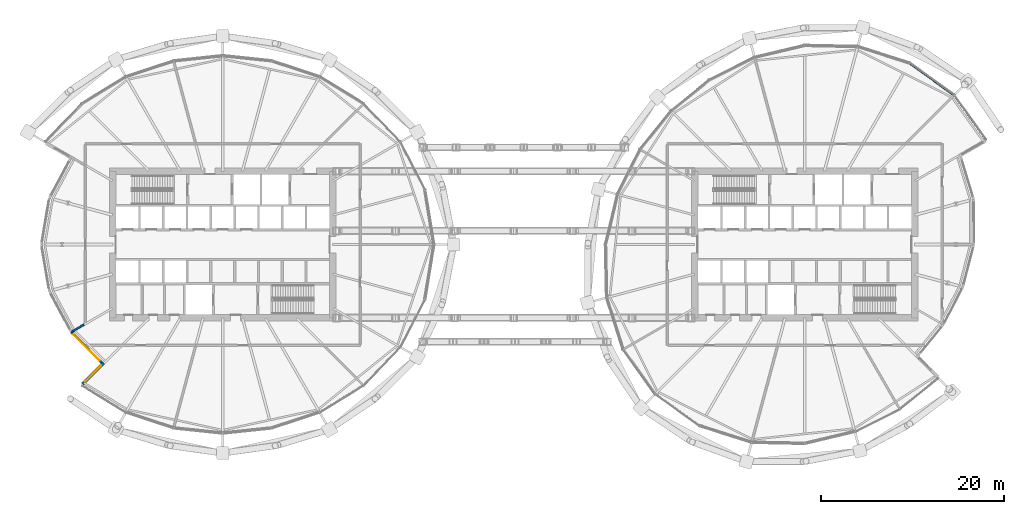
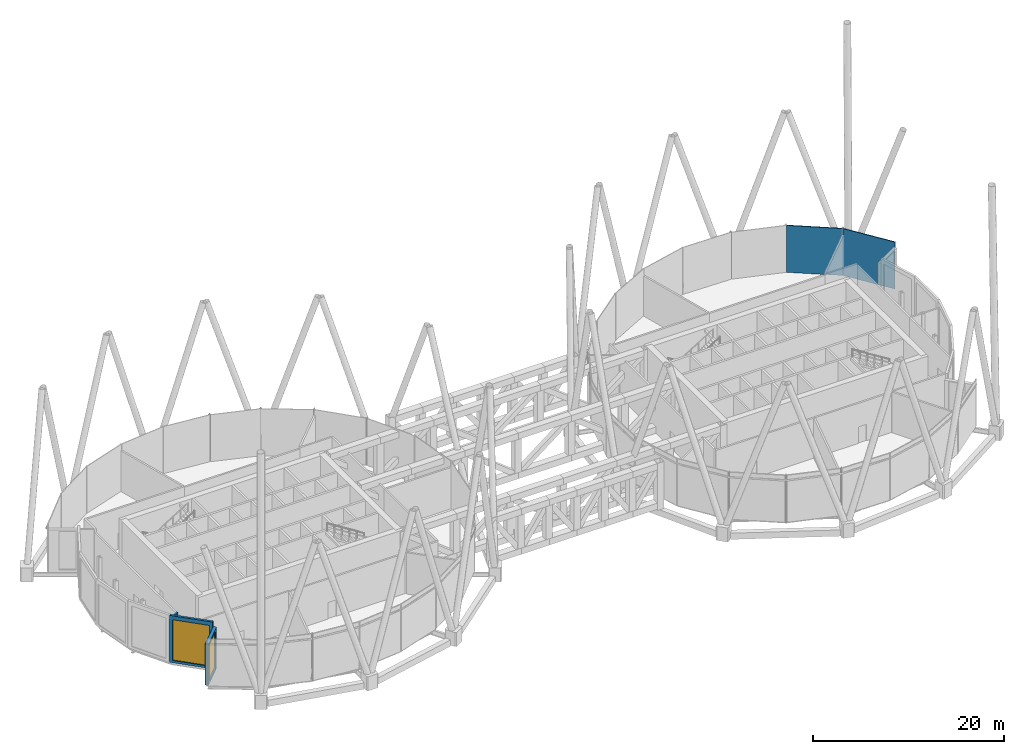
# One storey, part 31 of 39: 3 walls, 2 plates, 2 windows, 2 openings, 1 element without a shape of its own.
"""IFC4 building model written with IfcOpenShell, lengths in metres."""

import ifcopenshell
import ifcopenshell.guid

model = None  # the IFC model being written
_history = None  # IfcOwnerHistory: only IFC2X3 demands one
_inside = {}  # id of a spatial element -> (the spatial element, [elements in it])
_under = {}  # id of a project, library or spatial element -> (it, [spatial elements below it])
_declared = {}  # id of a project -> (the project, [libraries it declares])
_typed = {}  # id of a type object -> (the type object, [elements of that type])
_made_of = {}  # id of a material, layer set ... -> (it, [elements and type objects made of it])


def new_model(schema):
    """Start an empty IFC model of exactly this schema.

    Asked for "IFC4X3", IfcOpenShell would pick the latest addendum, in which some entities
    have other attributes; the version numbers below select the first issue.
    IFC2X3 requires an IfcOwnerHistory on every rooted entity: one is made here for all.
    """
    global model, _history
    if schema == "IFC4X3":
        model = ifcopenshell.file(schema_version=(4, 3, 0, 0))
    else:
        model = ifcopenshell.file(schema=schema)
    _inside.clear()
    _under.clear()
    _declared.clear()
    _typed.clear()
    _made_of.clear()
    _history = None
    if model.schema == "IFC2X3":
        org = make("IfcOrganization", Name="unknown")
        user = make(
            "IfcPersonAndOrganization",
            ThePerson=make("IfcPerson", FamilyName="unknown"),
            TheOrganization=org,
        )
        app = make(
            "IfcApplication",
            ApplicationDeveloper=org,
            Version="unknown",
            ApplicationFullName="unknown",
            ApplicationIdentifier="unknown",
        )
        _history = make(
            "IfcOwnerHistory",
            OwningUser=user,
            OwningApplication=app,
            ChangeAction="ADDED",
            CreationDate=0,
        )
    return model


def make(cls, **values):
    """One entity of the class cls with the attributes given. An attribute that is None is left unset."""
    return model.create_entity(
        cls, **{name: value for name, value in values.items() if value is not None}
    )


def rooted(cls, **values):
    """An entity with a GlobalId (a new one), such as an element, a storey or a relation."""
    return make(cls, GlobalId=ifcopenshell.guid.new(), OwnerHistory=_history, **values)


def si_unit(unit_type, name, prefix=None):
    """IfcSIUnit, for example si_unit("LENGTHUNIT", "METRE", prefix="MILLI")."""
    return make("IfcSIUnit", UnitType=unit_type, Prefix=prefix, Name=name)


def assignment(units):
    """IfcUnitAssignment: the units of a project."""
    return None if units is None else make("IfcUnitAssignment", Units=units)


def point(xyz):
    """IfcCartesianPoint."""
    return None if xyz is None else make("IfcCartesianPoint", Coordinates=xyz)


def direction(xyz):
    """IfcDirection."""
    return None if xyz is None else make("IfcDirection", DirectionRatios=xyz)


def frame(location, z_axis=None, x_axis=None):
    """IfcAxis2Placement3D, a coordinate frame: its origin and axes. An axis left out is left unset."""
    return make(
        "IfcAxis2Placement3D",
        Location=point(location),
        Axis=direction(z_axis),
        RefDirection=direction(x_axis),
    )


def frame_2d(location, x_axis=None):
    """IfcAxis2Placement2D, a coordinate frame in the plane: its origin and x axis."""
    return make(
        "IfcAxis2Placement2D", Location=point(location), RefDirection=direction(x_axis)
    )


def origin():
    """The frame at (0, 0, 0) with its axes left unset."""
    return frame((0.0, 0.0, 0.0))


def origin_2d():
    """The frame at (0, 0) in the plane with its x axis left unset."""
    return frame_2d((0.0, 0.0))


def place(relative_to, where):
    """IfcLocalPlacement: puts the frame where relative to a parent placement (None: the world)."""
    return make(
        "IfcLocalPlacement", PlacementRelTo=relative_to, RelativePlacement=where
    )


def context(
    kind, dimensions, precision=None, world=None, true_north=None, identifier=None
):
    """IfcGeometricRepresentationContext, for example the 3D "Model" context."""
    return make(
        "IfcGeometricRepresentationContext",
        ContextIdentifier=identifier,
        ContextType=kind,
        CoordinateSpaceDimension=dimensions,
        Precision=precision,
        WorldCoordinateSystem=world,
        TrueNorth=true_north,
    )


def subcontext(parent, identifier, kind, view, scale=None):
    """IfcGeometricRepresentationSubContext, for example "Body" below "Model"."""
    return make(
        "IfcGeometricRepresentationSubContext",
        ContextIdentifier=identifier,
        ContextType=kind,
        ParentContext=parent,
        TargetScale=scale,
        TargetView=view,
    )


def project(units=None, contexts=None):
    """IfcProject with its units and contexts."""
    return rooted(
        "IfcProject",
        Name="project",
        RepresentationContexts=contexts,
        UnitsInContext=assignment(units),
    )


def spatial(cls, under=None, at=None, **own):
    """A site, building, storey or space (cls), placed at a placement, below another one or the project."""
    s = rooted(cls, ObjectPlacement=at, **own)
    if under is not None:
        _under.setdefault(under.id(), (under, []))[1].append(s)
    return s


def profile(cls, at=None, kind="AREA", **sizes):
    """A parametric profile (cls). Its sizes go by their IFC names, for example OverallWidth=200.0."""
    return make(cls, ProfileType=kind, Position=at, **sizes)


def rectangle(**sizes):
    """IfcRectangleProfileDef."""
    return profile("IfcRectangleProfileDef", **sizes)


def extrude(swept, where, along, depth):
    """IfcExtrudedAreaSolid: the profile swept, set in the frame where, extruded along a direction by depth."""
    return make(
        "IfcExtrudedAreaSolid",
        SweptArea=swept,
        Position=where,
        ExtrudedDirection=direction(along),
        Depth=depth,
    )


def shape(context_of_items, identifier, shape_type, items):
    """IfcShapeRepresentation: the items that make up one representation, for example the "Body"."""
    return make(
        "IfcShapeRepresentation",
        ContextOfItems=context_of_items,
        RepresentationIdentifier=identifier,
        RepresentationType=shape_type,
        Items=items,
    )


def material(Name=None, Category=None):
    """IfcMaterial."""
    return make("IfcMaterial", Name=Name, Category=Category)


def layer(
    of_material, thickness, ventilated=None, Name=None, Category=None, Priority=None
):
    """IfcMaterialLayer: one layer of a wall or slab, of a material (None: an air gap)."""
    return make(
        "IfcMaterialLayer",
        Material=of_material,
        LayerThickness=thickness,
        IsVentilated=ventilated,
        Name=Name,
        Category=Category,
        Priority=Priority,
    )


def layer_set(layers, Name=None):
    """IfcMaterialLayerSet."""
    return make("IfcMaterialLayerSet", MaterialLayers=layers, LayerSetName=Name)


def made_of(thing, what):
    """Note that an element or type object is made of a material, layer set ...; save() writes the relation."""
    if what is not None:
        _made_of.setdefault(what.id(), (what, []))[1].append(thing)
    return thing


def type_object(cls, material=None, **own):
    """A type object (cls), such as IfcWallType, which elements share."""
    return made_of(rooted(cls, **own), material)


def element(
    cls,
    number,
    at=None,
    inside=None,
    cuts=None,
    type_object=None,
    material=None,
    context=None,
    identifier="Body",
    shape_type=None,
    held_by="IfcProductDefinitionShape",
    body=None,
    shapes=None,
    **own,
):
    """One element of the class cls, such as IfcWall. Its Tag is "e" and its number.

    at: its placement. inside: the storey or other place that contains it. cuts: it is an
    opening in that element (IfcRelVoidsElement). A single representation is given by context,
    identifier, shape_type and body (its items); several are given by shapes. held_by: the class
    of the entity that holds the representations. save() writes the other relations.
    """
    e = rooted(cls, Tag="e%d" % number, ObjectPlacement=at, **own)
    if body is not None:
        shapes = [shape(context, identifier, shape_type, body)]
    if shapes is not None:
        e.Representation = make(held_by, Representations=shapes)
    if inside is not None:
        _inside.setdefault(inside.id(), (inside, []))[1].append(e)
    if cuts is not None:
        rooted(
            "IfcRelVoidsElement", RelatingBuildingElement=cuts, RelatedOpeningElement=e
        )
    if type_object is not None:
        _typed.setdefault(type_object.id(), (type_object, []))[1].append(e)
    return made_of(e, material)


def fill(opening, filler):
    """IfcRelFillsElement: the door or window that sits in an opening."""
    return rooted(
        "IfcRelFillsElement",
        RelatingOpeningElement=opening,
        RelatedBuildingElement=filler,
    )


def aggregate(whole, parts):
    """IfcRelAggregates: a whole, such as a stair, and the parts it consists of."""
    return rooted("IfcRelAggregates", RelatingObject=whole, RelatedObjects=parts)


def save(model, path):
    """Write the relations noted so far, then the file.

    IfcRelAggregates (storeys below a building ...), IfcRelContainedInSpatialStructure (elements
    in a storey), IfcRelDefinesByType, IfcRelAssociatesMaterial and IfcRelDeclares: one each for
    every whole, place, type object, material and project.
    """
    for whole, parts in _under.values():
        aggregate(whole, parts)
    for where, things in _inside.values():
        rooted(
            "IfcRelContainedInSpatialStructure",
            RelatedElements=things,
            RelatingStructure=where,
        )
    for kind, things in _typed.values():
        rooted("IfcRelDefinesByType", RelatedObjects=things, RelatingType=kind)
    for what, things in _made_of.values():
        rooted("IfcRelAssociatesMaterial", RelatedObjects=things, RelatingMaterial=what)
    for by, libraries in _declared.values():
        rooted("IfcRelDeclares", RelatingContext=by, RelatedDefinitions=libraries)
    model.write(path)


model = new_model("IFC4")

# Units and contexts
model_context = context("Model", 3, precision=1e-05, world=origin(), true_north=direction((0.0, 1.0)))
body_context = subcontext(model_context, "Body", "Model", "MODEL_VIEW")
ifc_project = project(units=[si_unit("LENGTHUNIT", "METRE"), si_unit("AREAUNIT", "SQUARE_METRE"), si_unit("VOLUMEUNIT", "CUBIC_METRE"), si_unit("PLANEANGLEUNIT", "RADIAN"), si_unit("MASSUNIT", "GRAM", prefix="KILO")], contexts=[model_context])

# Site, building, storey
site_placement = place(None, origin())
site = spatial("IfcSite", under=ifc_project, at=site_placement, CompositionType="ELEMENT")
building_placement = place(site_placement, origin())
building = spatial("IfcBuilding", under=site, at=building_placement, Name="Rimbun Link Towers", CompositionType="ELEMENT")
storey_placement = place(building_placement, frame((0.0, 0.0, 127.199951171875)))
storey = spatial("IfcBuildingStorey", under=building, at=storey_placement, Name="L31", CompositionType="ELEMENT", Elevation=127.199951171875)

# Curtain wall, plates
ifc_material_1 = material(Name="Aluminium 6063-T6 louvre wall", Category="aluminium")
curtain_wall_type = type_object("IfcCurtainWallType", Name="CW6 plant floor louvre wall", PredefinedType="NOTDEFINED", material=ifc_material_1)
curtain_wall_placement = place(storey_placement, origin())
curtain_wall = element("IfcCurtainWall", 1, at=curtain_wall_placement, inside=storey, type_object=curtain_wall_type, Name="CW6 L31 T2", PredefinedType="NOTDEFINED")
ifc_material_2 = material(Name="Aluminium louvre panel", Category="aluminium")
ifc_layer_1 = layer(ifc_material_2, 0.10009765625)
ifc_layer_set_1 = layer_set([ifc_layer_1], Name="CW6 panel Aluminium louvre panel 100")
plate_type = type_object("IfcPlateType", Name="CW6 panel Aluminium louvre panel 100", PredefinedType="CURTAIN_PANEL", material=ifc_layer_set_1)
plate_1_placement = place(storey_placement, frame((45.591552734375, 18.0205078125, 0.0), z_axis=(0.0, 0.0, 1.0), x_axis=(0.812471359579, -0.583001106229, 0.0)))
plate_1 = element("IfcPlate", 2, at=plate_1_placement, type_object=plate_type, Name="CW6 louvre panel", PredefinedType="CURTAIN_PANEL", context=body_context, shape_type="SweptSolid", body=[
    extrude(rectangle(XDim=5.932861328125, YDim=0.10009765625, at=origin_2d()), origin(), (0.0, 0.0, 1.0), 6.0),
])
plate_2_placement = place(storey_placement, frame((49.7705078125, 13.841552734375, 0.0), z_axis=(0.0, 0.0, 1.0), x_axis=(0.583001106229, -0.812471359579, 0.0)))
plate_2 = element("IfcPlate", 3, at=plate_2_placement, type_object=plate_type, Name="CW6 louvre panel", PredefinedType="CURTAIN_PANEL", context=body_context, shape_type="SweptSolid", body=[
    extrude(rectangle(XDim=5.932861328125, YDim=0.10009765625, at=origin_2d()), origin(), (0.0, 0.0, 1.0), 6.0),
])
aggregate(curtain_wall, [plate_1, plate_2])

# Wall, opening, window
ifc_material_3 = material(Name="Dark enamelled glass spandrel on insulated aluminium backpan", Category="aluminium")
ifc_layer_2 = layer(ifc_material_3, 0.25)
ifc_layer_set_2 = layer_set([ifc_layer_2], Name="CS dark enamelled spandrel wall 250")
wall_type_1 = type_object("IfcWallType", Name="CS dark enamelled spandrel wall 250", PredefinedType="STANDARD", material=ifc_layer_set_2)
wall_1_placement = place(storey_placement, frame((-44.9765625, -12.873046875, 0.0), z_axis=(0.0, 0.0, 1.0), x_axis=(-0.705826953048, 0.708384297081, 0.0)))
wall_1 = element("IfcWall", 4, at=wall_1_placement, inside=storey, type_object=wall_type_1, Name="Crease spandrel wall", PredefinedType="STANDARD", context=body_context, shape_type="SweptSolid", body=[
    extrude(rectangle(XDim=4.677978515625, YDim=0.25, at=frame_2d((2.3388671875, 0.0))), origin(), (0.0, 0.0, 1.0), 6.0),
])
opening_1_placement = place(wall_1_placement, frame((0.3388671875, 0.0, 0.300048828125)))
opening_1 = element("IfcOpeningElement", 5, at=opening_1_placement, cuts=wall_1, Name="Opening WR40H520", PredefinedType="OPENING", context=body_context, shape_type="SweptSolid", body=[
    extrude(rectangle(XDim=4.0, YDim=5.199951171875, at=frame_2d((2.0, 2.60009765625))), frame((0.0, 0.135009765625, 0.0), z_axis=(0.0, -1.0, 0.0), x_axis=(1.0, 0.0, 0.0)), (0.0, 0.0, 1.0), 0.27001953125),
])
ifc_material_4 = material(Name="Aluminium framed fixed window, dark tinted low-e glass", Category="aluminium")
window_type_1 = type_object("IfcWindowType", Name="WR ribbon window 4000X5200", PartitioningType="SINGLE_PANEL", PredefinedType="WINDOW", material=ifc_material_4)
window_1_placement = place(opening_1_placement, origin())
window_1 = element("IfcWindow", 6, at=window_1_placement, inside=storey, type_object=window_type_1, Name="Crease ribbon window", OverallHeight=5.199951171875, OverallWidth=4.0, PartitioningType="SINGLE_PANEL", PredefinedType="WINDOW", context=body_context, shape_type="SweptSolid", body=[
    extrude(rectangle(XDim=4.0, YDim=5.199951171875, at=frame_2d((2.0, 2.60009765625))), frame((0.0, 0.030029296875, 0.0), z_axis=(0.0, -1.0, 0.0), x_axis=(1.0, 0.0, 0.0)), (0.0, 0.0, 1.0), 0.06005859375),
])
fill(opening_1, window_1)

ifc_material_5 = material(Name="Dark enamelled glass spandrel on insulated aluminium backpan", Category="aluminium")
ifc_layer_3 = layer(ifc_material_5, 0.3701171875)
ifc_layer_set_3 = layer_set([ifc_layer_3], Name="CS dark enamelled spandrel wall 370")
wall_type_2 = type_object("IfcWallType", Name="CS dark enamelled spandrel wall 370", PredefinedType="STANDARD", material=ifc_layer_set_3)
wall_2_placement = place(storey_placement, frame((-47.076904296875, -15.235107421875, 0.0), z_axis=(0.0, 0.0, 1.0), x_axis=(0.707106781187, 0.707106781187, 0.0)))
wall_2 = element("IfcWall", 7, at=wall_2_placement, inside=storey, type_object=wall_type_2, Name="Crease spandrel wall", PredefinedType="STANDARD", context=body_context, shape_type="SweptSolid", body=[
    extrude(rectangle(XDim=3.280029296875, YDim=0.3701171875, at=frame_2d((1.64013671875, 0.0))), origin(), (0.0, 0.0, 1.0), 5.27685546875),
])
opening_2_placement = place(wall_2_placement, frame((0.389892578125, 0.0, 0.300048828125)))
opening_2 = element("IfcOpeningElement", 8, at=opening_2_placement, cuts=wall_2, Name="Opening WR25H470", PredefinedType="OPENING", context=body_context, shape_type="SweptSolid", body=[
    extrude(rectangle(XDim=2.5, YDim=4.699951171875, at=frame_2d((1.25, 2.35009765625))), frame((0.0, 0.195068359375, 0.0), z_axis=(0.0, -1.0, 0.0), x_axis=(1.0, 0.0, 0.0)), (0.0, 0.0, 1.0), 0.39013671875),
])
ifc_material_6 = material(Name="Aluminium framed fixed window, dark tinted low-e glass", Category="aluminium")
window_type_2 = type_object("IfcWindowType", Name="WR ribbon window 2500X4700", PartitioningType="SINGLE_PANEL", PredefinedType="WINDOW", material=ifc_material_6)
window_2_placement = place(opening_2_placement, origin())
window_2 = element("IfcWindow", 9, at=window_2_placement, inside=storey, type_object=window_type_2, Name="Crease ribbon window", OverallHeight=4.699951171875, OverallWidth=2.5, PartitioningType="SINGLE_PANEL", PredefinedType="WINDOW", context=body_context, shape_type="SweptSolid", body=[
    extrude(rectangle(XDim=2.5, YDim=4.699951171875, at=frame_2d((1.25, 2.35009765625))), frame((0.0, 0.030029296875, 0.0), z_axis=(0.0, -1.0, 0.0), x_axis=(1.0, 0.0, 0.0)), (0.0, 0.0, 1.0), 0.06005859375),
])
fill(opening_2, window_2)

# Wall
ifc_material_7 = material(Name="Concrete blockwork", Category="masonry")
ifc_layer_4 = layer(ifc_material_7, 0.199951171875)
ifc_layer_set_4 = layer_set([ifc_layer_4], Name="Fire partition 200 blockwork")
wall_type_3 = type_object("IfcWallType", Name="Fire partition 200 blockwork", PredefinedType="PARTITIONING", material=ifc_layer_set_4)
wall_3_placement = place(storey_placement, frame((-46.89990234375, -8.746826171875, 0.0), z_axis=(0.0, 0.0, 1.0), x_axis=(-0.866060045659, -0.499939993713, 0.0)))
element("IfcWall", 10, at=wall_3_placement, inside=storey, type_object=wall_type_3, Name="TW/PW/L31/011", PredefinedType="PARTITIONING", context=body_context, shape_type="SweptSolid", body=[
    extrude(rectangle(XDim=1.554443359375, YDim=0.199951171875, at=frame_2d((0.77734375, 0.0))), origin(), (0.0, 0.0, 1.0), 5.39404296875),
])

save(model, "model.ifc")
